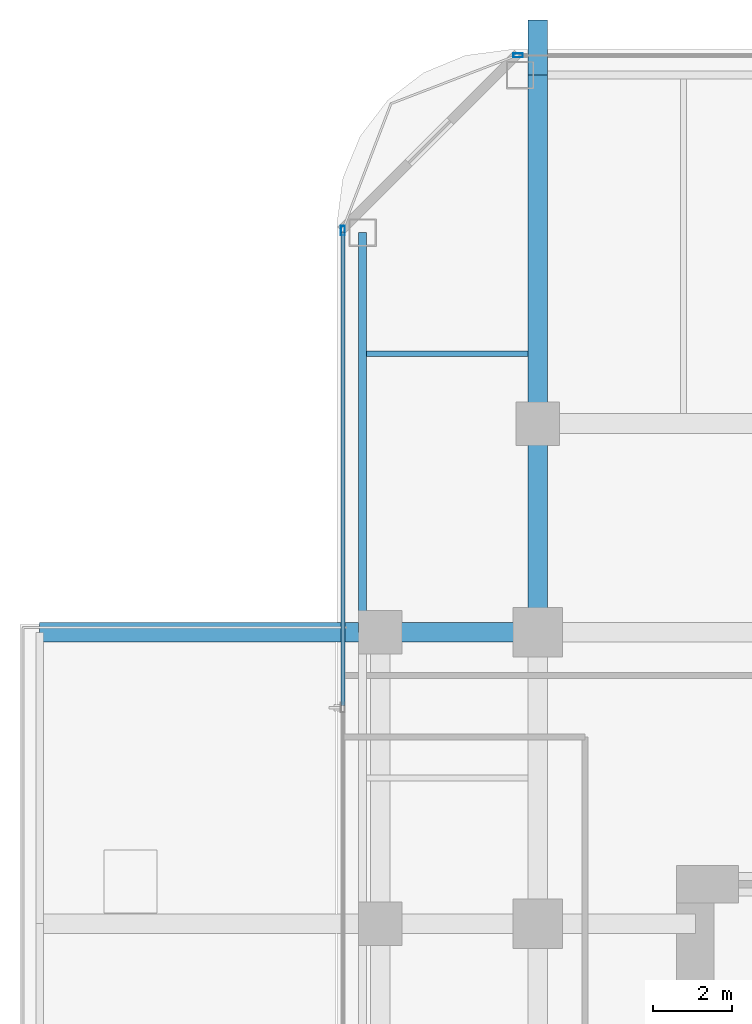
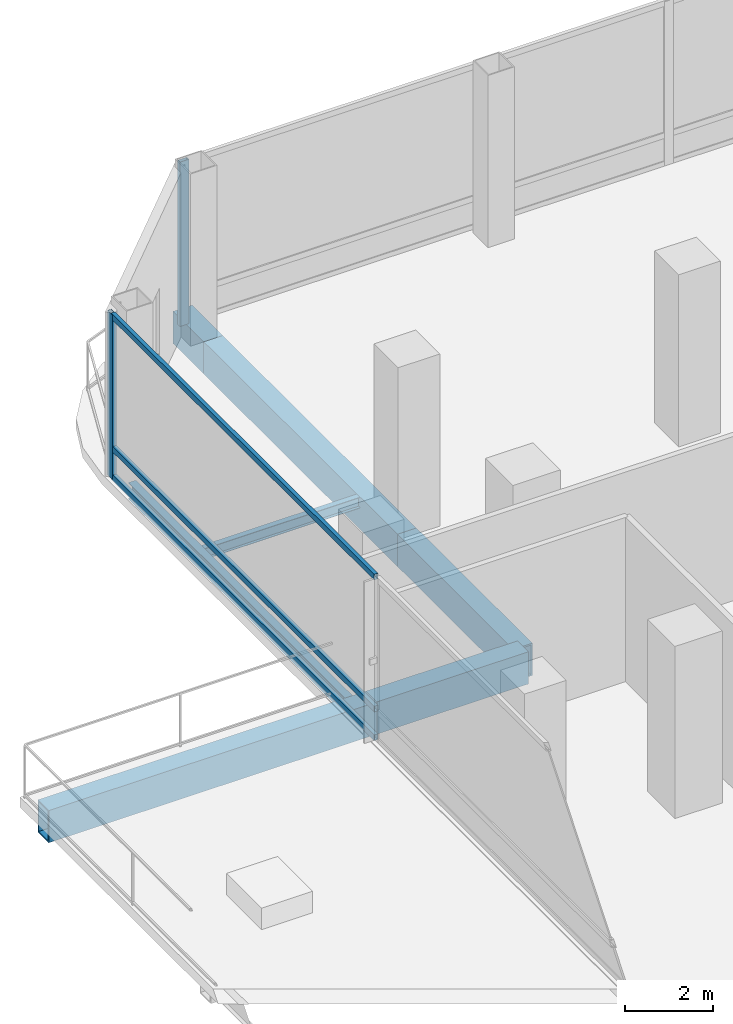
# One storey, part 14 of 28: 7 beams, 5 members, 2 elements without a shape of their own.
"""IFC4 building model written with IfcOpenShell, lengths in metres."""

from ifc_helpers import new_model, si_unit, direction, frame, origin, origin_2d, place, context, subcontext, project, spatial, hollow_rectangle, i_section, extrude, material, layer, layer_set, material_profile, profile_set, type_object, element, aggregate, save


model = new_model("IFC4")

# Units and contexts
model_context = context("Model", 3, precision=1e-05, world=origin(), true_north=direction((0.0, 1.0)))
body_context = subcontext(model_context, "Body", "Model", "MODEL_VIEW")
ifc_project = project(units=[si_unit("LENGTHUNIT", "METRE"), si_unit("AREAUNIT", "SQUARE_METRE"), si_unit("VOLUMEUNIT", "CUBIC_METRE"), si_unit("PLANEANGLEUNIT", "RADIAN"), si_unit("MASSUNIT", "GRAM", prefix="KILO")], contexts=[model_context])

# Site, building, storey
site_placement = place(None, origin())
site = spatial("IfcSite", under=ifc_project, at=site_placement, CompositionType="ELEMENT")
building_placement = place(site_placement, origin())
building = spatial("IfcBuilding", under=site, at=building_placement, Name="Khorvyn Point Tower", CompositionType="ELEMENT")
storey_placement = place(building_placement, frame((0.0, 0.0, 108.60009765625)))
storey = spatial("IfcBuildingStorey", under=building, at=storey_placement, Name="L27", CompositionType="ELEMENT", Elevation=108.60009765625)

# Curtain wall, member
ifc_material_1 = material(Name="Anodised aluminium 6063-T6 and laminated Low-E glass", Category="aluminium")
ifc_layer = layer(ifc_material_1, 0.18994140625)
ifc_layer_set = layer_set([ifc_layer], Name="Stick-Built Sky-Lobby Curtain Wall CW-SYS-05")
curtain_wall_type = type_object("IfcCurtainWallType", Name="Stick-Built Sky-Lobby Curtain Wall CW-SYS-05", PredefinedType="NOTDEFINED", material=ifc_layer_set)
curtain_wall_1_placement = place(storey_placement, origin())
curtain_wall_1 = element("IfcCurtainWall", 1, at=curtain_wall_1_placement, inside=storey, type_object=curtain_wall_type, Name="Curtain Wall", PredefinedType="NOTDEFINED")
ifc_material_2 = material(Name="Anodised aluminium 6063-T6", Category="aluminium")
ifc_material_profile_1 = material_profile(ifc_material_2, hollow_rectangle(XDim=0.10009765625, YDim=0.239990234375, WallThickness=0.0048828125, at=origin_2d()))
ifc_profile_set_1 = profile_set([ifc_material_profile_1], Name="Anodised aluminium 6063-T6 ALU-MUL-100x240")
member_type_1 = type_object("IfcMemberType", Name="Anodised Aluminium 6063-T6 Mullion ALU-MUL-100x240", PredefinedType="MULLION", material=ifc_profile_set_1)
member_1_placement = place(storey_placement, frame((-15.300048828125, 29.449951171875, 0.0), z_axis=(0.0, 0.0, 1.0), x_axis=(0.0, 1.0, 0.0)))
member_1 = element("IfcMember", 2, at=member_1_placement, type_object=member_type_1, Name="Transom", PredefinedType="MULLION", context=body_context, shape_type="SweptSolid", body=[
    extrude(hollow_rectangle(XDim=0.10009765625, YDim=0.239990234375, WallThickness=0.0048828125, at=origin_2d()), origin(), (0.0, 0.0, 1.0), 4.579833984375),
])
aggregate(curtain_wall_1, [member_1])

# Curtain wall, members
curtain_wall_2_placement = place(storey_placement, origin())
curtain_wall_2 = element("IfcCurtainWall", 3, at=curtain_wall_2_placement, inside=storey, type_object=curtain_wall_type, Name="Curtain Wall", PredefinedType="NOTDEFINED")
member_2_placement = place(storey_placement, frame((-19.75, 25.0, 0.0), z_axis=(0.0, 0.0, 1.0), x_axis=(-1.0, 0.0, 0.0)))
member_2 = element("IfcMember", 4, at=member_2_placement, type_object=member_type_1, Name="Transom", PredefinedType="MULLION", context=body_context, shape_type="SweptSolid", body=[
    extrude(hollow_rectangle(XDim=0.10009765625, YDim=0.239990234375, WallThickness=0.0048828125, at=origin_2d()), origin(), (0.0, 0.0, 1.0), 4.579833984375),
])
ifc_material_profile_2 = material_profile(ifc_material_2, hollow_rectangle(XDim=0.10009765625, YDim=0.159912109375, WallThickness=0.00439453125, at=origin_2d()))
ifc_profile_set_2 = profile_set([ifc_material_profile_2], Name="Anodised aluminium 6063-T6 ALU-TRN-100x160")
member_type_2 = type_object("IfcMemberType", Name="Anodised Aluminium 6063-T6 Transom ALU-TRN-100x160", PredefinedType="USERDEFINED", material=ifc_profile_set_2)
member_3_placement = place(storey_placement, frame((-19.75, 12.93505859375, 0.0498046875), z_axis=(0.0, 1.0, 0.0), x_axis=(-1.0, 0.0, 0.0)))
member_3 = element("IfcMember", 5, at=member_3_placement, type_object=member_type_2, Name="Transom", ObjectType="TRANSOM", PredefinedType="USERDEFINED", context=body_context, shape_type="SweptSolid", body=[
    extrude(hollow_rectangle(XDim=0.10009765625, YDim=0.159912109375, WallThickness=0.00439453125, at=origin_2d()), origin(), (0.0, 0.0, 1.0), 12.014892578125),
])
member_4_placement = place(storey_placement, frame((-19.75, 12.93505859375, 0.849853515625), z_axis=(0.0, 1.0, 0.0), x_axis=(-1.0, 0.0, 0.0)))
member_4 = element("IfcMember", 6, at=member_4_placement, type_object=member_type_2, Name="Transom", ObjectType="TRANSOM", PredefinedType="USERDEFINED", context=body_context, shape_type="SweptSolid", body=[
    extrude(hollow_rectangle(XDim=0.10009765625, YDim=0.159912109375, WallThickness=0.00439453125, at=origin_2d()), origin(), (0.0, 0.0, 1.0), 12.014892578125),
])
member_5_placement = place(storey_placement, frame((-19.75, 12.93505859375, 4.52978515625), z_axis=(0.0, 1.0, 0.0), x_axis=(-1.0, 0.0, 0.0)))
member_5 = element("IfcMember", 7, at=member_5_placement, type_object=member_type_2, Name="Transom", ObjectType="TRANSOM", PredefinedType="USERDEFINED", context=body_context, shape_type="SweptSolid", body=[
    extrude(hollow_rectangle(XDim=0.10009765625, YDim=0.159912109375, WallThickness=0.00439453125, at=origin_2d()), origin(), (0.0, 0.0, 1.0), 12.014892578125),
])
aggregate(curtain_wall_2, [member_2, member_3, member_4, member_5])

# Beams
ifc_material_3 = material(Name="Steel S355", Category="steel")
ifc_material_profile_3 = material_profile(ifc_material_3, i_section(OverallWidth=0.14990234375, OverallDepth=0.300048828125, WebThickness=0.006591796875, FlangeThickness=0.009033203125, at=origin_2d()))
ifc_profile_set_3 = profile_set([ifc_material_profile_3], Name="Steel S355 H300x150x6.5x9")
beam_type_1 = type_object("IfcBeamType", Name="Steel S355 Joist H300x150x6.5x9", PredefinedType="JOIST", material=ifc_profile_set_3)
beam_1_placement = place(storey_placement, frame((-19.14990234375, 21.875, -0.43017578125), z_axis=(1.0, 0.0, 0.0), x_axis=(0.0, 1.0, 0.0)))
element("IfcBeam", 8, at=beam_1_placement, inside=storey, type_object=beam_type_1, Name="Beam", PredefinedType="JOIST", context=body_context, shape_type="SweptSolid", body=[
    extrude(i_section(OverallWidth=0.14990234375, OverallDepth=0.300048828125, WebThickness=0.006591796875, FlangeThickness=0.009033203125, at=origin_2d()), origin(), (0.0, 0.0, 1.0), 4.099853515625),
])
ifc_material_profile_4 = material_profile(ifc_material_3, i_section(OverallWidth=0.199951171875, OverallDepth=0.449951171875, WebThickness=0.009033203125, FlangeThickness=0.013916015625, at=origin_2d()))
ifc_profile_set_4 = profile_set([ifc_material_profile_4], Name="Steel S355 H450x200x9x14")
beam_type_2 = type_object("IfcBeamType", Name="Steel S355 Spandrel H450x200x9x14", PredefinedType="SPANDREL", material=ifc_profile_set_4)
beam_2_placement = place(storey_placement, frame((-19.25, 14.800048828125, -0.505126953125), z_axis=(0.0, 1.0, 0.0), x_axis=(-1.0, 0.0, 0.0)))
element("IfcBeam", 9, at=beam_2_placement, inside=storey, type_object=beam_type_2, Name="Beam", PredefinedType="SPANDREL", context=body_context, shape_type="SweptSolid", body=[
    extrude(i_section(OverallWidth=0.199951171875, OverallDepth=0.449951171875, WebThickness=0.009033203125, FlangeThickness=0.013916015625, at=origin_2d()), origin(), (0.0, 0.0, 1.0), 10.14990234375),
])
ifc_material_4 = material(Name="Steel S450", Category="steel")
ifc_material_profile_5 = material_profile(ifc_material_4, hollow_rectangle(XDim=0.5, YDim=0.89990234375, WallThickness=0.0400390625, at=origin_2d()))
ifc_profile_set_5 = profile_set([ifc_material_profile_5], Name="Steel S450 BOX900x500x40")
beam_type_3 = type_object("IfcBeamType", Name="Steel S450 Beam BOX900x500x40", PredefinedType="BEAM", material=ifc_profile_set_5)
beam_3_placement = place(storey_placement, frame((-27.449951171875, 14.800048828125, -0.72998046875), z_axis=(1.0, 0.0, 0.0), x_axis=(0.0, 1.0, 0.0)))
element("IfcBeam", 10, at=beam_3_placement, inside=storey, type_object=beam_type_3, Name="L27 Radial Transfer Girder", PredefinedType="BEAM", context=body_context, shape_type="SweptSolid", body=[
    extrude(hollow_rectangle(XDim=0.5, YDim=0.89990234375, WallThickness=0.0400390625, at=origin_2d()), origin(), (0.0, 0.0, 1.0), 8.64990234375),
])
beam_4_placement = place(storey_placement, frame((-18.800048828125, 14.800048828125, -0.72998046875), z_axis=(1.0, 0.0, 0.0), x_axis=(0.0, 1.0, 0.0)))
element("IfcBeam", 11, at=beam_4_placement, inside=storey, type_object=beam_type_3, Name="L27 Radial Transfer Girder", PredefinedType="BEAM", context=body_context, shape_type="SweptSolid", body=[
    extrude(hollow_rectangle(XDim=0.5, YDim=0.89990234375, WallThickness=0.0400390625, at=origin_2d()), origin(), (0.0, 0.0, 1.0), 4.0),
])
beam_5_placement = place(storey_placement, frame((-14.800048828125, 14.800048828125, -0.72998046875), z_axis=(0.0, 1.0, 0.0), x_axis=(-1.0, 0.0, 0.0)))
element("IfcBeam", 12, at=beam_5_placement, inside=storey, type_object=beam_type_3, Name="L27 Radial Transfer Girder", PredefinedType="BEAM", context=body_context, shape_type="SweptSolid", body=[
    extrude(hollow_rectangle(XDim=0.5, YDim=0.89990234375, WallThickness=0.0400390625, at=origin_2d()), origin(), (0.0, 0.0, 1.0), 5.300048828125),
])
beam_6_placement = place(storey_placement, frame((-14.800048828125, 20.10009765625, -0.72998046875), z_axis=(0.0, 1.0, 0.0), x_axis=(-1.0, 0.0, 0.0)))
element("IfcBeam", 13, at=beam_6_placement, inside=storey, type_object=beam_type_3, Name="L27 Radial Transfer Girder", PredefinedType="BEAM", context=body_context, shape_type="SweptSolid", body=[
    extrude(hollow_rectangle(XDim=0.5, YDim=0.89990234375, WallThickness=0.0400390625, at=origin_2d()), origin(), (0.0, 0.0, 1.0), 8.849853515625),
])
beam_7_placement = place(storey_placement, frame((-14.800048828125, 28.949951171875, -0.72998046875), z_axis=(0.0, 1.0, 0.0), x_axis=(-1.0, 0.0, 0.0)))
element("IfcBeam", 14, at=beam_7_placement, inside=storey, type_object=beam_type_3, Name="L27 Radial Transfer Girder", PredefinedType="BEAM", context=body_context, shape_type="SweptSolid", body=[
    extrude(hollow_rectangle(XDim=0.5, YDim=0.89990234375, WallThickness=0.0400390625, at=origin_2d()), origin(), (0.0, 0.0, 1.0), 1.400146484375),
])

save(model, "model.ifc")
